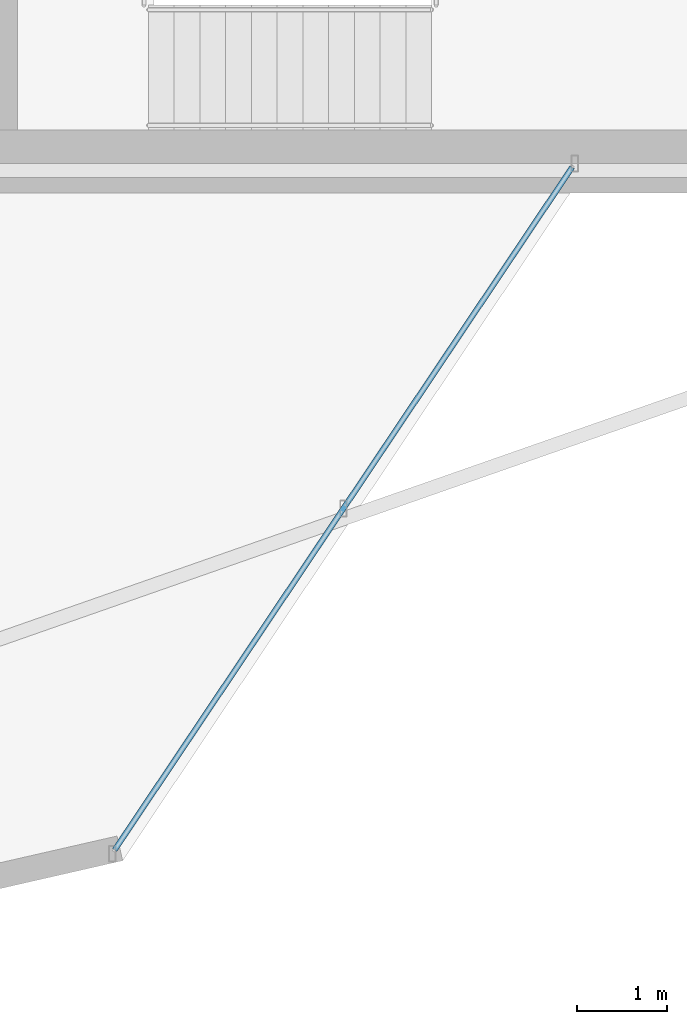
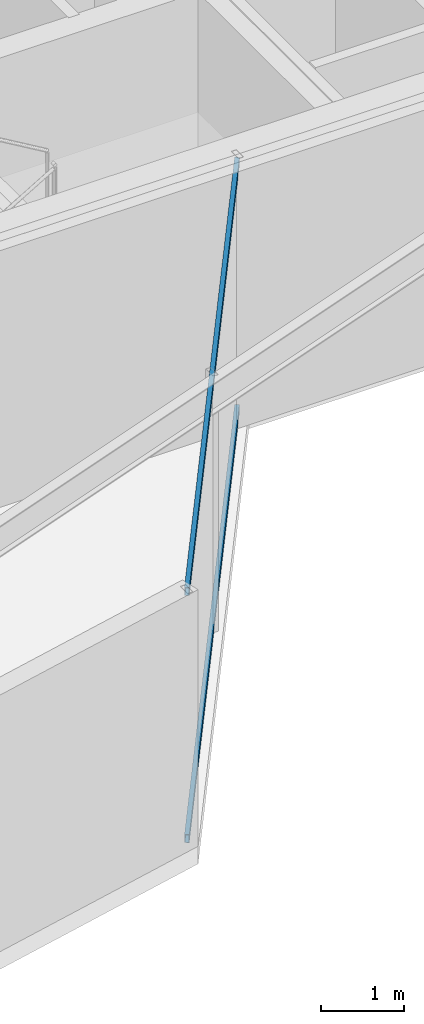
# One storey, part 7 of 22: 2 members, 1 element without a shape of its own.
"""IFC4 building model written with IfcOpenShell, lengths in metres."""

from ifc_helpers import new_model, si_unit, direction, frame, origin, origin_2d, place, context, subcontext, project, spatial, hollow_rectangle, extrude, material, layer, layer_set, material_profile, profile_set, type_object, element, aggregate, save


model = new_model("IFC4")

# Units and contexts
model_context = context("Model", 3, precision=1e-05, world=origin(), true_north=direction((0.0, 1.0)))
body_context = subcontext(model_context, "Body", "Model", "MODEL_VIEW")
ifc_project = project(units=[si_unit("LENGTHUNIT", "METRE"), si_unit("AREAUNIT", "SQUARE_METRE"), si_unit("VOLUMEUNIT", "CUBIC_METRE"), si_unit("PLANEANGLEUNIT", "RADIAN"), si_unit("MASSUNIT", "GRAM", prefix="KILO")], contexts=[model_context])

# Site, building, storey
site_placement = place(None, origin())
site = spatial("IfcSite", under=ifc_project, at=site_placement, CompositionType="ELEMENT")
building_placement = place(site_placement, origin())
building = spatial("IfcBuilding", under=site, at=building_placement, Name="Veymaron Broadcast Tower", CompositionType="ELEMENT")
storey_placement = place(building_placement, frame((0.0, 0.0, 204.0)))
storey = spatial("IfcBuildingStorey", under=building, at=storey_placement, Name="L47", CompositionType="ELEMENT", Elevation=204.0)

# Curtain wall, members
ifc_material_1 = material(Name="Anodised aluminium AA 6063-T6 and laminated low-E dark glass", Category="aluminium")
ifc_layer = layer(ifc_material_1, 0.179931640625)
ifc_layer_set = layer_set([ifc_layer], Name="Anodised aluminium AA 6063-T6 and laminated low-E dark glass")
curtain_wall_type = type_object("IfcCurtainWallType", Name="CW-SYS-05", PredefinedType="NOTDEFINED", material=ifc_layer_set)
curtain_wall_placement = place(storey_placement, origin())
curtain_wall = element("IfcCurtainWall", 1, at=curtain_wall_placement, inside=storey, type_object=curtain_wall_type, Name="L47 dark-glass curtain wall CW-L47-E20-1", PredefinedType="NOTDEFINED")
ifc_material_2 = material(Name="Anodised aluminium AA 6063-T6", Category="aluminium")
ifc_material_profile = material_profile(ifc_material_2, hollow_rectangle(XDim=0.06005859375, YDim=0.1201171875, WallThickness=0.00390625, at=origin_2d()), Name="AL120X60X4")
ifc_profile_set = profile_set([ifc_material_profile], Name="Anodised aluminium AA 6063-T6")
member_type = type_object("IfcMemberType", Name="CW-TRN-02", PredefinedType="USERDEFINED", material=ifc_profile_set)
member_1_placement = place(storey_placement, frame((41.055908203125, 8.4794921875, 0.070068359375), z_axis=(0.556680529668, 0.83072666256, 0.0), x_axis=(-0.83072666256, 0.556680529668, 0.0)))
member_1 = element("IfcMember", 2, at=member_1_placement, type_object=member_type, Name="CW-L47-E20-1 transom B", ObjectType="TRANSOM", PredefinedType="USERDEFINED", context=body_context, shape_type="SweptSolid", body=[
    extrude(hollow_rectangle(XDim=0.06005859375, YDim=0.1201171875, WallThickness=0.00390625, at=origin_2d()), origin(), (0.0, 0.0, 1.0), 9.0966796875),
])
member_2_placement = place(storey_placement, frame((41.055908203125, 8.4794921875, 3.719970703125), z_axis=(0.556680529668, 0.83072666256, 0.0), x_axis=(-0.83072666256, 0.556680529668, 0.0)))
member_2 = element("IfcMember", 3, at=member_2_placement, type_object=member_type, Name="CW-L47-E20-1 transom T", ObjectType="TRANSOM", PredefinedType="USERDEFINED", context=body_context, shape_type="SweptSolid", body=[
    extrude(hollow_rectangle(XDim=0.06005859375, YDim=0.1201171875, WallThickness=0.00390625, at=origin_2d()), origin(), (0.0, 0.0, 1.0), 9.0966796875),
])
aggregate(curtain_wall, [member_1, member_2])

save(model, "model.ifc")
